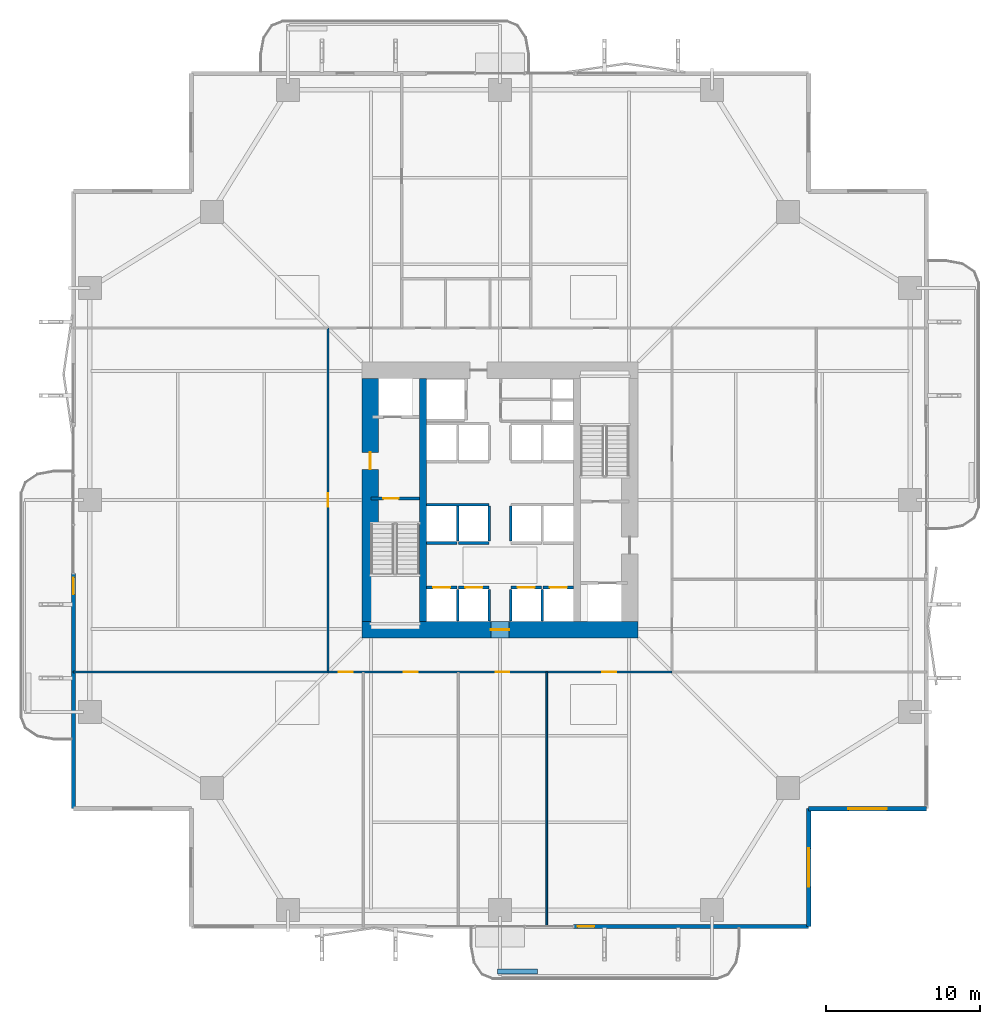
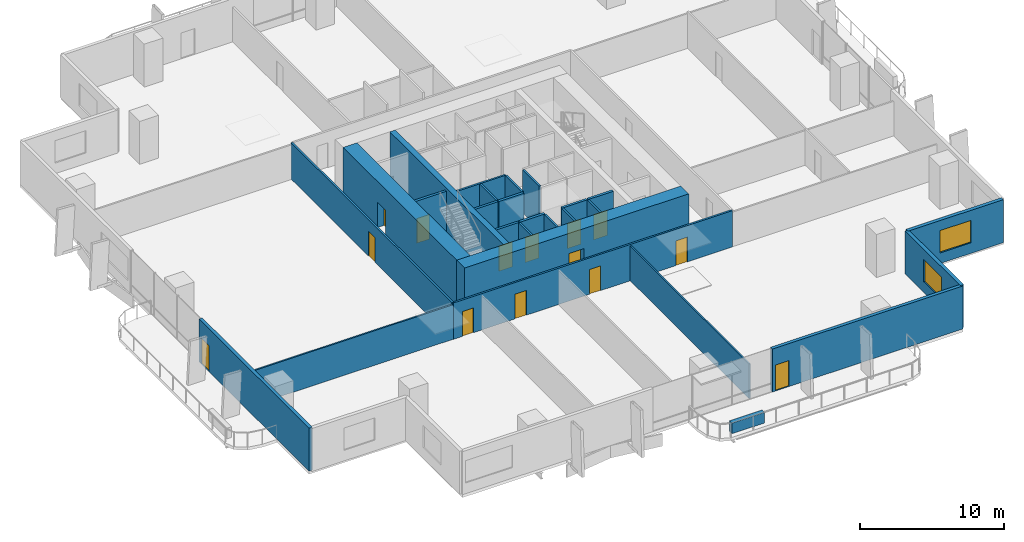
# One storey, part 17 of 24: 27 walls, 14 doors, 2 windows, 16 openings.
"""IFC4 building model written with IfcOpenShell, lengths in metres."""

import ifcopenshell
import ifcopenshell.guid

model = None  # the IFC model being written
_history = None  # IfcOwnerHistory: only IFC2X3 demands one
_inside = {}  # id of a spatial element -> (the spatial element, [elements in it])
_under = {}  # id of a project, library or spatial element -> (it, [spatial elements below it])
_declared = {}  # id of a project -> (the project, [libraries it declares])
_typed = {}  # id of a type object -> (the type object, [elements of that type])
_made_of = {}  # id of a material, layer set ... -> (it, [elements and type objects made of it])


def new_model(schema):
    """Start an empty IFC model of exactly this schema.

    Asked for "IFC4X3", IfcOpenShell would pick the latest addendum, in which some entities
    have other attributes; the version numbers below select the first issue.
    IFC2X3 requires an IfcOwnerHistory on every rooted entity: one is made here for all.
    """
    global model, _history
    if schema == "IFC4X3":
        model = ifcopenshell.file(schema_version=(4, 3, 0, 0))
    else:
        model = ifcopenshell.file(schema=schema)
    _inside.clear()
    _under.clear()
    _declared.clear()
    _typed.clear()
    _made_of.clear()
    _history = None
    if model.schema == "IFC2X3":
        org = make("IfcOrganization", Name="unknown")
        user = make(
            "IfcPersonAndOrganization",
            ThePerson=make("IfcPerson", FamilyName="unknown"),
            TheOrganization=org,
        )
        app = make(
            "IfcApplication",
            ApplicationDeveloper=org,
            Version="unknown",
            ApplicationFullName="unknown",
            ApplicationIdentifier="unknown",
        )
        _history = make(
            "IfcOwnerHistory",
            OwningUser=user,
            OwningApplication=app,
            ChangeAction="ADDED",
            CreationDate=0,
        )
    return model


def make(cls, **values):
    """One entity of the class cls with the attributes given. An attribute that is None is left unset."""
    return model.create_entity(
        cls, **{name: value for name, value in values.items() if value is not None}
    )


def rooted(cls, **values):
    """An entity with a GlobalId (a new one), such as an element, a storey or a relation."""
    return make(cls, GlobalId=ifcopenshell.guid.new(), OwnerHistory=_history, **values)


def si_unit(unit_type, name, prefix=None):
    """IfcSIUnit, for example si_unit("LENGTHUNIT", "METRE", prefix="MILLI")."""
    return make("IfcSIUnit", UnitType=unit_type, Prefix=prefix, Name=name)


def assignment(units):
    """IfcUnitAssignment: the units of a project."""
    return None if units is None else make("IfcUnitAssignment", Units=units)


def point(xyz):
    """IfcCartesianPoint."""
    return None if xyz is None else make("IfcCartesianPoint", Coordinates=xyz)


def direction(xyz):
    """IfcDirection."""
    return None if xyz is None else make("IfcDirection", DirectionRatios=xyz)


def frame(location, z_axis=None, x_axis=None):
    """IfcAxis2Placement3D, a coordinate frame: its origin and axes. An axis left out is left unset."""
    return make(
        "IfcAxis2Placement3D",
        Location=point(location),
        Axis=direction(z_axis),
        RefDirection=direction(x_axis),
    )


def frame_2d(location, x_axis=None):
    """IfcAxis2Placement2D, a coordinate frame in the plane: its origin and x axis."""
    return make(
        "IfcAxis2Placement2D", Location=point(location), RefDirection=direction(x_axis)
    )


def origin():
    """The frame at (0, 0, 0) with its axes left unset."""
    return frame((0.0, 0.0, 0.0))


def place(relative_to, where):
    """IfcLocalPlacement: puts the frame where relative to a parent placement (None: the world)."""
    return make(
        "IfcLocalPlacement", PlacementRelTo=relative_to, RelativePlacement=where
    )


def context(
    kind, dimensions, precision=None, world=None, true_north=None, identifier=None
):
    """IfcGeometricRepresentationContext, for example the 3D "Model" context."""
    return make(
        "IfcGeometricRepresentationContext",
        ContextIdentifier=identifier,
        ContextType=kind,
        CoordinateSpaceDimension=dimensions,
        Precision=precision,
        WorldCoordinateSystem=world,
        TrueNorth=true_north,
    )


def subcontext(parent, identifier, kind, view, scale=None):
    """IfcGeometricRepresentationSubContext, for example "Body" below "Model"."""
    return make(
        "IfcGeometricRepresentationSubContext",
        ContextIdentifier=identifier,
        ContextType=kind,
        ParentContext=parent,
        TargetScale=scale,
        TargetView=view,
    )


def project(units=None, contexts=None):
    """IfcProject with its units and contexts."""
    return rooted(
        "IfcProject",
        Name="project",
        RepresentationContexts=contexts,
        UnitsInContext=assignment(units),
    )


def spatial(cls, under=None, at=None, **own):
    """A site, building, storey or space (cls), placed at a placement, below another one or the project."""
    s = rooted(cls, ObjectPlacement=at, **own)
    if under is not None:
        _under.setdefault(under.id(), (under, []))[1].append(s)
    return s


def profile(cls, at=None, kind="AREA", **sizes):
    """A parametric profile (cls). Its sizes go by their IFC names, for example OverallWidth=200.0."""
    return make(cls, ProfileType=kind, Position=at, **sizes)


def rectangle(**sizes):
    """IfcRectangleProfileDef."""
    return profile("IfcRectangleProfileDef", **sizes)


def extrude(swept, where, along, depth):
    """IfcExtrudedAreaSolid: the profile swept, set in the frame where, extruded along a direction by depth."""
    return make(
        "IfcExtrudedAreaSolid",
        SweptArea=swept,
        Position=where,
        ExtrudedDirection=direction(along),
        Depth=depth,
    )


def shape(context_of_items, identifier, shape_type, items):
    """IfcShapeRepresentation: the items that make up one representation, for example the "Body"."""
    return make(
        "IfcShapeRepresentation",
        ContextOfItems=context_of_items,
        RepresentationIdentifier=identifier,
        RepresentationType=shape_type,
        Items=items,
    )


def material(Name=None, Category=None):
    """IfcMaterial."""
    return make("IfcMaterial", Name=Name, Category=Category)


def layer(
    of_material, thickness, ventilated=None, Name=None, Category=None, Priority=None
):
    """IfcMaterialLayer: one layer of a wall or slab, of a material (None: an air gap)."""
    return make(
        "IfcMaterialLayer",
        Material=of_material,
        LayerThickness=thickness,
        IsVentilated=ventilated,
        Name=Name,
        Category=Category,
        Priority=Priority,
    )


def layer_set(layers, Name=None):
    """IfcMaterialLayerSet."""
    return make("IfcMaterialLayerSet", MaterialLayers=layers, LayerSetName=Name)


def made_of(thing, what):
    """Note that an element or type object is made of a material, layer set ...; save() writes the relation."""
    if what is not None:
        _made_of.setdefault(what.id(), (what, []))[1].append(thing)
    return thing


def type_object(cls, material=None, **own):
    """A type object (cls), such as IfcWallType, which elements share."""
    return made_of(rooted(cls, **own), material)


def element(
    cls,
    number,
    at=None,
    inside=None,
    cuts=None,
    type_object=None,
    material=None,
    context=None,
    identifier="Body",
    shape_type=None,
    held_by="IfcProductDefinitionShape",
    body=None,
    shapes=None,
    **own,
):
    """One element of the class cls, such as IfcWall. Its Tag is "e" and its number.

    at: its placement. inside: the storey or other place that contains it. cuts: it is an
    opening in that element (IfcRelVoidsElement). A single representation is given by context,
    identifier, shape_type and body (its items); several are given by shapes. held_by: the class
    of the entity that holds the representations. save() writes the other relations.
    """
    e = rooted(cls, Tag="e%d" % number, ObjectPlacement=at, **own)
    if body is not None:
        shapes = [shape(context, identifier, shape_type, body)]
    if shapes is not None:
        e.Representation = make(held_by, Representations=shapes)
    if inside is not None:
        _inside.setdefault(inside.id(), (inside, []))[1].append(e)
    if cuts is not None:
        rooted(
            "IfcRelVoidsElement", RelatingBuildingElement=cuts, RelatedOpeningElement=e
        )
    if type_object is not None:
        _typed.setdefault(type_object.id(), (type_object, []))[1].append(e)
    return made_of(e, material)


def fill(opening, filler):
    """IfcRelFillsElement: the door or window that sits in an opening."""
    return rooted(
        "IfcRelFillsElement",
        RelatingOpeningElement=opening,
        RelatedBuildingElement=filler,
    )


def aggregate(whole, parts):
    """IfcRelAggregates: a whole, such as a stair, and the parts it consists of."""
    return rooted("IfcRelAggregates", RelatingObject=whole, RelatedObjects=parts)


def save(model, path):
    """Write the relations noted so far, then the file.

    IfcRelAggregates (storeys below a building ...), IfcRelContainedInSpatialStructure (elements
    in a storey), IfcRelDefinesByType, IfcRelAssociatesMaterial and IfcRelDeclares: one each for
    every whole, place, type object, material and project.
    """
    for whole, parts in _under.values():
        aggregate(whole, parts)
    for where, things in _inside.values():
        rooted(
            "IfcRelContainedInSpatialStructure",
            RelatedElements=things,
            RelatingStructure=where,
        )
    for kind, things in _typed.values():
        rooted("IfcRelDefinesByType", RelatedObjects=things, RelatingType=kind)
    for what, things in _made_of.values():
        rooted("IfcRelAssociatesMaterial", RelatedObjects=things, RelatingMaterial=what)
    for by, libraries in _declared.values():
        rooted("IfcRelDeclares", RelatingContext=by, RelatedDefinitions=libraries)
    model.write(path)


model = new_model("IFC4")

# Units and contexts
model_context = context("Model", 3, precision=1e-05, world=origin(), true_north=direction((0.0, 1.0)))
body_context = subcontext(model_context, "Body", "Model", "MODEL_VIEW")
ifc_project = project(units=[si_unit("LENGTHUNIT", "METRE"), si_unit("AREAUNIT", "SQUARE_METRE"), si_unit("VOLUMEUNIT", "CUBIC_METRE"), si_unit("PLANEANGLEUNIT", "RADIAN"), si_unit("MASSUNIT", "GRAM", prefix="KILO")], contexts=[model_context])

# Site, building, storey
site_placement = place(None, origin())
site = spatial("IfcSite", under=ifc_project, at=site_placement, CompositionType="ELEMENT")
building_placement = place(site_placement, origin())
building = spatial("IfcBuilding", under=site, at=building_placement, Name="Belovzor Exchange Tower", CompositionType="ELEMENT")
storey_placement = place(building_placement, frame((0.0, 0.0, 69.0)))
storey = spatial("IfcBuildingStorey", under=building, at=storey_placement, Name="L16", CompositionType="ELEMENT", Elevation=69.0)

# Walls
ifc_material_1 = material(Name="Acoustic Plasterboard on Galvanised Studs", Category="gypsum")
ifc_layer_1 = layer(ifc_material_1, 0.1201171875)
ifc_layer_set_1 = layer_set([ifc_layer_1], Name="Acoustic Plasterboard on Galvanised Studs")
wall_type_1 = type_object("IfcWallType", Name="Acoustic Double-Stud Partition Wall 120", PredefinedType="PARTITIONING", material=ifc_layer_set_1)
for number, where, z_axis, x_axis, name in (
    (1, (31.844970703125, 1.030029296875, 0.0), (0.0, 0.0, 1.0), (0.0, 1.0, 0.0), "W-P120 Partition Wall W-L16-SDIV-3"),
    (2, (1.030029296875, 17.60009765625, 0.0), (0.0, 0.0, 1.0), (1.0, 0.0, 0.0), "W-P120 Partition Wall W-L16-END-SW"),
):
    element("IfcWall", number, at=place(storey_placement, frame(where, z_axis=z_axis, x_axis=x_axis)), inside=storey, type_object=wall_type_1, Name=name, PredefinedType="PARTITIONING", context=body_context, shape_type="SweptSolid", body=[
        extrude(rectangle(XDim=16.570068359375, YDim=0.1201171875, at=frame_2d((8.28515625, 0.0))), origin(), (0.0, 0.0, 1.0), 2.93505859375),
    ])

# Wall, openings, doors
ifc_material_2 = material(Name="Fire-Rated Gypsum Block and Mineral Wool", Category="gypsum")
ifc_layer_2 = layer(ifc_material_2, 0.14990234375)
ifc_layer_set_2 = layer_set([ifc_layer_2], Name="Fire-Rated Gypsum Block and Mineral Wool")
wall_type_2 = type_object("IfcWallType", Name="Fire-Rated Gypsum Block Corridor Wall 150", PredefinedType="PARTITIONING", material=ifc_layer_set_2)
wall_1_placement = place(storey_placement, frame((17.60009765625, 17.60009765625, 0.0), z_axis=(0.0, 0.0, 1.0), x_axis=(1.0, 0.0, 0.0)))
wall_1 = element("IfcWall", 3, at=wall_1_placement, inside=storey, type_object=wall_type_2, Name="W-P150 Partition Wall W-L16-CS", PredefinedType="PARTITIONING", context=body_context, shape_type="SweptSolid", body=[
    extrude(rectangle(XDim=22.39990234375, YDim=0.14990234375, at=frame_2d((11.199951171875, 0.0))), origin(), (0.0, 0.0, 1.0), 3.0849609375),
])
opening_1_placement = place(wall_1_placement, frame((0.699951171875, 0.0, 0.0)))
opening_1 = element("IfcOpeningElement", 4, at=opening_1_placement, cuts=wall_1, Name="Opening D-INT-090", PredefinedType="OPENING", context=body_context, shape_type="SweptSolid", body=[
    extrude(rectangle(XDim=0.89990234375, YDim=2.10009765625, at=frame_2d((0.449951171875, 1.050048828125))), frame((0.0, 0.0849609375, 0.0), z_axis=(0.0, -1.0, 0.0), x_axis=(1.0, 0.0, 0.0)), (0.0, 0.0, 1.0), 0.169921875),
])
opening_2_placement = place(wall_1_placement, frame((4.93994140625, 0.0, 0.0)))
opening_2 = element("IfcOpeningElement", 5, at=opening_2_placement, cuts=wall_1, Name="Opening D-INT-090", PredefinedType="OPENING", context=body_context, shape_type="SweptSolid", body=[
    extrude(rectangle(XDim=0.89990234375, YDim=2.10009765625, at=frame_2d((0.449951171875, 1.050048828125))), frame((0.0, 0.0849609375, 0.0), z_axis=(0.0, -1.0, 0.0), x_axis=(1.0, 0.0, 0.0)), (0.0, 0.0, 1.0), 0.169921875),
])
opening_3_placement = place(wall_1_placement, frame((10.912109375, 0.0, 0.0)))
opening_3 = element("IfcOpeningElement", 6, at=opening_3_placement, cuts=wall_1, Name="Opening D-INT-090", PredefinedType="OPENING", context=body_context, shape_type="SweptSolid", body=[
    extrude(rectangle(XDim=0.89990234375, YDim=2.10009765625, at=frame_2d((0.449951171875, 1.050048828125))), frame((0.0, 0.0849609375, 0.0), z_axis=(0.0, -1.0, 0.0), x_axis=(1.0, 0.0, 0.0)), (0.0, 0.0, 1.0), 0.169921875),
])
opening_4_placement = place(wall_1_placement, frame((17.8720703125, 0.0, 0.0)))
opening_4 = element("IfcOpeningElement", 7, at=opening_4_placement, cuts=wall_1, Name="Opening D-INT-090", PredefinedType="OPENING", context=body_context, shape_type="SweptSolid", body=[
    extrude(rectangle(XDim=0.89990234375, YDim=2.10009765625, at=frame_2d((0.449951171875, 1.050048828125))), frame((0.0, 0.0849609375, 0.0), z_axis=(0.0, -1.0, 0.0), x_axis=(1.0, 0.0, 0.0)), (0.0, 0.0, 1.0), 0.169921875),
])
ifc_material_3 = material(Name="Veneered Hardwood Acoustic Leaf", Category="wood")
door_type_1 = type_object("IfcDoorType", Name="Trading Suite Acoustic Single Door 900x2100", OperationType="NOTDEFINED", PredefinedType="DOOR", material=ifc_material_3)
door_1_placement = place(opening_1_placement, origin())
door_1 = element("IfcDoor", 8, at=door_1_placement, inside=storey, type_object=door_type_1, Name="D-INT-090 Trading Suite Acoustic Single Door 900x2100", OperationType="SINGLE_SWING_RIGHT", OverallHeight=2.10009765625, OverallWidth=0.89990234375, PredefinedType="DOOR", context=body_context, shape_type="SweptSolid", body=[
    extrude(rectangle(XDim=0.89990234375, YDim=2.10009765625, at=frame_2d((0.449951171875, 1.050048828125))), frame((0.0, 0.02490234375, 0.0), z_axis=(0.0, -1.0, 0.0), x_axis=(1.0, 0.0, 0.0)), (0.0, 0.0, 1.0), 0.050048828125),
])
fill(opening_1, door_1)
door_2_placement = place(opening_2_placement, origin())
door_2 = element("IfcDoor", 9, at=door_2_placement, inside=storey, type_object=door_type_1, Name="D-INT-090 Trading Suite Acoustic Single Door 900x2100", OperationType="SINGLE_SWING_LEFT", OverallHeight=2.10009765625, OverallWidth=0.89990234375, PredefinedType="DOOR", context=body_context, shape_type="SweptSolid", body=[
    extrude(rectangle(XDim=0.89990234375, YDim=2.10009765625, at=frame_2d((0.449951171875, 1.050048828125))), frame((0.0, 0.02490234375, 0.0), z_axis=(0.0, -1.0, 0.0), x_axis=(1.0, 0.0, 0.0)), (0.0, 0.0, 1.0), 0.050048828125),
])
fill(opening_2, door_2)
door_3_placement = place(opening_3_placement, origin())
door_3 = element("IfcDoor", 10, at=door_3_placement, inside=storey, type_object=door_type_1, Name="D-INT-090 Trading Suite Acoustic Single Door 900x2100", OperationType="SINGLE_SWING_RIGHT", OverallHeight=2.10009765625, OverallWidth=0.89990234375, PredefinedType="DOOR", context=body_context, shape_type="SweptSolid", body=[
    extrude(rectangle(XDim=0.89990234375, YDim=2.10009765625, at=frame_2d((0.449951171875, 1.050048828125))), frame((0.0, 0.02490234375, 0.0), z_axis=(0.0, -1.0, 0.0), x_axis=(1.0, 0.0, 0.0)), (0.0, 0.0, 1.0), 0.050048828125),
])
fill(opening_3, door_3)
door_4_placement = place(opening_4_placement, origin())
door_4 = element("IfcDoor", 11, at=door_4_placement, inside=storey, type_object=door_type_1, Name="D-INT-090 Trading Suite Acoustic Single Door 900x2100", OperationType="SINGLE_SWING_LEFT", OverallHeight=2.10009765625, OverallWidth=0.89990234375, PredefinedType="DOOR", context=body_context, shape_type="SweptSolid", body=[
    extrude(rectangle(XDim=0.89990234375, YDim=2.10009765625, at=frame_2d((0.449951171875, 1.050048828125))), frame((0.0, 0.02490234375, 0.0), z_axis=(0.0, -1.0, 0.0), x_axis=(1.0, 0.0, 0.0)), (0.0, 0.0, 1.0), 0.050048828125),
])
fill(opening_4, door_4)

# Wall, opening, door
wall_2_placement = place(storey_placement, frame((17.60009765625, 17.60009765625, 0.0), z_axis=(0.0, 0.0, 1.0), x_axis=(0.0, 1.0, 0.0)))
wall_2 = element("IfcWall", 12, at=wall_2_placement, inside=storey, type_object=wall_type_2, Name="W-P150 Partition Wall W-L16-CW", PredefinedType="PARTITIONING", context=body_context, shape_type="SweptSolid", body=[
    extrude(rectangle(XDim=22.39990234375, YDim=0.14990234375, at=frame_2d((11.199951171875, 0.0))), origin(), (0.0, 0.0, 1.0), 3.0849609375),
])
opening_5_placement = place(wall_2_placement, frame((10.75, 0.0, 0.0)))
opening_5 = element("IfcOpeningElement", 13, at=opening_5_placement, cuts=wall_2, Name="Opening D-INT-090", PredefinedType="OPENING", context=body_context, shape_type="SweptSolid", body=[
    extrude(rectangle(XDim=0.89990234375, YDim=2.10009765625, at=frame_2d((0.449951171875, 1.050048828125))), frame((0.0, 0.0849609375, 0.0), z_axis=(0.0, -1.0, 0.0), x_axis=(1.0, 0.0, 0.0)), (0.0, 0.0, 1.0), 0.169921875),
])
door_5_placement = place(opening_5_placement, origin())
door_5 = element("IfcDoor", 14, at=door_5_placement, inside=storey, type_object=door_type_1, Name="D-INT-090 Trading Suite Acoustic Single Door 900x2100", OperationType="SINGLE_SWING_RIGHT", OverallHeight=2.10009765625, OverallWidth=0.89990234375, PredefinedType="DOOR", context=body_context, shape_type="SweptSolid", body=[
    extrude(rectangle(XDim=0.89990234375, YDim=2.10009765625, at=frame_2d((0.449951171875, 1.050048828125))), frame((0.0, 0.02490234375, 0.0), z_axis=(0.0, -1.0, 0.0), x_axis=(1.0, 0.0, 0.0)), (0.0, 0.0, 1.0), 0.050048828125),
])
fill(opening_5, door_5)

# Wall, opening, window
ifc_material_4 = material(Name="Precast concrete C40/50", Category="concrete")
ifc_layer_3 = layer(ifc_material_4, 0.280029296875)
ifc_layer_set_3 = layer_set([ifc_layer_3], Name="Precast concrete C40/50")
wall_type_3 = type_object("IfcWallType", Name="Precast Concrete Notched Corner Frame Wall 280", PredefinedType="SOLIDWALL", material=ifc_layer_set_3)
wall_3_placement = place(storey_placement, frame((56.570068359375, 8.699951171875, 0.0), z_axis=(0.0, 0.0, 1.0), x_axis=(-1.0, 0.0, 0.0)))
wall_3 = element("IfcWall", 15, at=wall_3_placement, inside=storey, type_object=wall_type_3, Name="W-CRN280 Precast Concrete Notched Corner Frame Wall 280 L16", PredefinedType="SOLIDWALL", context=body_context, shape_type="SweptSolid", body=[
    extrude(rectangle(XDim=7.670166015625, YDim=0.280029296875, at=frame_2d((3.8349609375, 0.0))), origin(), (0.0, 0.0, 1.0), 3.64990234375),
])
opening_6_placement = place(wall_3_placement, frame((2.5849609375, 0.0, 0.89990234375)))
opening_6 = element("IfcOpeningElement", 16, at=opening_6_placement, cuts=wall_3, Name="Opening WN-CRN250", PredefinedType="OPENING", context=body_context, shape_type="SweptSolid", body=[
    extrude(rectangle(XDim=2.5, YDim=1.89990234375, at=frame_2d((1.25, 0.949951171875))), frame((0.0, 0.14990234375, 0.0), z_axis=(0.0, -1.0, 0.0), x_axis=(1.0, 0.0, 0.0)), (0.0, 0.0, 1.0), 0.300048828125),
])
ifc_material_5 = material(Name="Thermally Broken Aluminium and Triple Glazing", Category="aluminium")
window_type = type_object("IfcWindowType", Name="Streamline Moderne Corner Wrap Ribbon Window 2500x1900", PartitioningType="SINGLE_PANEL", PredefinedType="WINDOW", material=ifc_material_5)
window_1_placement = place(opening_6_placement, origin())
window_1 = element("IfcWindow", 17, at=window_1_placement, inside=storey, type_object=window_type, Name="WN-CRN250 Streamline Moderne Corner Wrap Ribbon Window 2500x1900", OverallHeight=1.89990234375, OverallWidth=2.5, PartitioningType="SINGLE_PANEL", PredefinedType="WINDOW", context=body_context, shape_type="SweptSolid", body=[
    extrude(rectangle(XDim=2.5, YDim=1.89990234375, at=frame_2d((1.25, 0.949951171875))), frame((0.0, 0.030029296875, 0.0), z_axis=(0.0, -1.0, 0.0), x_axis=(1.0, 0.0, 0.0)), (0.0, 0.0, 1.0), 0.06005859375),
])
fill(opening_6, window_1)

wall_4_placement = place(storey_placement, frame((48.89990234375, 8.699951171875, 0.0), z_axis=(0.0, 0.0, 1.0), x_axis=(0.0, -1.0, 0.0)))
wall_4 = element("IfcWall", 18, at=wall_4_placement, inside=storey, type_object=wall_type_3, Name="W-CRN280 Precast Concrete Notched Corner Frame Wall 280 L16", PredefinedType="SOLIDWALL", context=body_context, shape_type="SweptSolid", body=[
    extrude(rectangle(XDim=7.669921875, YDim=0.280029296875, at=frame_2d((3.8349609375, 0.0))), origin(), (0.0, 0.0, 1.0), 3.64990234375),
])
opening_7_placement = place(wall_4_placement, frame((2.5849609375, 0.0, 0.89990234375)))
opening_7 = element("IfcOpeningElement", 19, at=opening_7_placement, cuts=wall_4, Name="Opening WN-CRN250", PredefinedType="OPENING", context=body_context, shape_type="SweptSolid", body=[
    extrude(rectangle(XDim=2.5, YDim=1.89990234375, at=frame_2d((1.25, 0.949951171875))), frame((0.0, 0.14990234375, 0.0), z_axis=(0.0, -1.0, 0.0), x_axis=(1.0, 0.0, 0.0)), (0.0, 0.0, 1.0), 0.300048828125),
])
window_2_placement = place(opening_7_placement, origin())
window_2 = element("IfcWindow", 20, at=window_2_placement, inside=storey, type_object=window_type, Name="WN-CRN250 Streamline Moderne Corner Wrap Ribbon Window 2500x1900", OverallHeight=1.89990234375, OverallWidth=2.5, PartitioningType="SINGLE_PANEL", PredefinedType="WINDOW", context=body_context, shape_type="SweptSolid", body=[
    extrude(rectangle(XDim=2.5, YDim=1.89990234375, at=frame_2d((1.25, 0.949951171875))), frame((0.0, 0.030029296875, 0.0), z_axis=(0.0, -1.0, 0.0), x_axis=(1.0, 0.0, 0.0)), (0.0, 0.0, 1.0), 0.06005859375),
])
fill(opening_7, window_2)

# Wall, opening, door
ifc_material_6 = material(Name="Precast concrete C40/50", Category="concrete")
ifc_layer_4 = layer(ifc_material_6, 0.260009765625)
ifc_layer_set_4 = layer_set([ifc_layer_4], Name="Precast concrete C40/50")
wall_type_4 = type_object("IfcWallType", Name="Precast Concrete Perimeter Loggia Frame Wall 260", PredefinedType="SOLIDWALL", material=ifc_layer_set_4)
wall_5_placement = place(storey_placement, frame((48.89990234375, 1.030029296875, 0.0), z_axis=(0.0, 0.0, 1.0), x_axis=(-1.0, 0.0, 0.0)))
wall_5 = element("IfcWall", 21, at=wall_5_placement, inside=storey, type_object=wall_type_4, Name="W-EXT260 Precast Concrete Perimeter Loggia Frame Wall 260 L16", PredefinedType="SOLIDWALL", context=body_context, shape_type="SweptSolid", body=[
    extrude(rectangle(XDim=15.2998046875, YDim=0.260009765625, at=frame_2d((7.64990234375, 0.0))), origin(), (0.0, 0.0, 1.0), 3.64990234375),
])
opening_8_placement = place(wall_5_placement, frame((13.949951171875, 0.0, 0.0)))
opening_8 = element("IfcOpeningElement", 22, at=opening_8_placement, cuts=wall_5, Name="Opening D-BAL110", PredefinedType="OPENING", context=body_context, shape_type="SweptSolid", body=[
    extrude(rectangle(XDim=1.10009765625, YDim=2.199951171875, at=frame_2d((0.550048828125, 1.10009765625))), frame((0.0, 0.139892578125, 0.0), z_axis=(0.0, -1.0, 0.0), x_axis=(1.0, 0.0, 0.0)), (0.0, 0.0, 1.0), 0.280029296875),
])
ifc_material_7 = material(Name="Thermally Broken Anodised Aluminium and Laminated Glass", Category="aluminium")
door_type_2 = type_object("IfcDoorType", Name="Planted Loggia Terrace Glazed Door 1100x2200", OperationType="SINGLE_SWING_LEFT", PredefinedType="DOOR", material=ifc_material_7)
door_6_placement = place(opening_8_placement, origin())
door_6 = element("IfcDoor", 23, at=door_6_placement, inside=storey, type_object=door_type_2, Name="D-BAL110 Balcony Terrace Door L16 S", OperationType="SINGLE_SWING_LEFT", OverallHeight=2.199951171875, OverallWidth=1.10009765625, PredefinedType="DOOR", context=body_context, shape_type="SweptSolid", body=[
    extrude(rectangle(XDim=1.10009765625, YDim=2.199951171875, at=frame_2d((0.550048828125, 1.10009765625))), frame((0.0, 0.02490234375, 0.0), z_axis=(0.0, -1.0, 0.0), x_axis=(1.0, 0.0, 0.0)), (0.0, 0.0, 1.0), 0.050048828125),
])
fill(opening_8, door_6)

wall_6_placement = place(storey_placement, frame((1.030029296875, 8.699951171875, 0.0), z_axis=(0.0, 0.0, 1.0), x_axis=(0.0, 1.0, 0.0)))
wall_6 = element("IfcWall", 24, at=wall_6_placement, inside=storey, type_object=wall_type_4, Name="W-EXT260 Precast Concrete Perimeter Loggia Frame Wall 260 L16", PredefinedType="SOLIDWALL", context=body_context, shape_type="SweptSolid", body=[
    extrude(rectangle(XDim=15.300048828125, YDim=0.260009765625, at=frame_2d((7.64990234375, 0.0))), origin(), (0.0, 0.0, 1.0), 3.64990234375),
])
opening_9_placement = place(wall_6_placement, frame((13.949951171875, 0.0, 0.0)))
opening_9 = element("IfcOpeningElement", 25, at=opening_9_placement, cuts=wall_6, Name="Opening D-BAL110", PredefinedType="OPENING", context=body_context, shape_type="SweptSolid", body=[
    extrude(rectangle(XDim=1.10009765625, YDim=2.199951171875, at=frame_2d((0.550048828125, 1.10009765625))), frame((0.0, 0.139892578125, 0.0), z_axis=(0.0, -1.0, 0.0), x_axis=(1.0, 0.0, 0.0)), (0.0, 0.0, 1.0), 0.280029296875),
])
door_7_placement = place(opening_9_placement, origin())
door_7 = element("IfcDoor", 26, at=door_7_placement, inside=storey, type_object=door_type_2, Name="D-BAL110 Balcony Terrace Door L16 W", OperationType="SINGLE_SWING_RIGHT", OverallHeight=2.199951171875, OverallWidth=1.10009765625, PredefinedType="DOOR", context=body_context, shape_type="SweptSolid", body=[
    extrude(rectangle(XDim=1.10009765625, YDim=2.199951171875, at=frame_2d((0.550048828125, 1.10009765625))), frame((0.0, 0.02490234375, 0.0), z_axis=(0.0, -1.0, 0.0), x_axis=(1.0, 0.0, 0.0)), (0.0, 0.0, 1.0), 0.050048828125),
])
fill(opening_9, door_7)

# Walls
ifc_material_8 = material(Name="Precast concrete C40/50", Category="concrete")
ifc_layer_5 = layer(ifc_material_8, 0.35009765625)
ifc_layer_set_5 = layer_set([ifc_layer_5], Name="Precast concrete C40/50")
wall_type_5 = type_object("IfcWallType", Name="Precast Concrete Structural Tree Planter Trough 350", PredefinedType="PARAPET", material=ifc_layer_set_5)
wall_7_placement = place(storey_placement, frame((28.64990234375, -1.89990234375, 0.0), z_axis=(0.0, 0.0, 1.0), x_axis=(1.0, 0.0, 0.0)))
element("IfcWall", 27, at=wall_7_placement, inside=storey, type_object=wall_type_5, Name="PT-350 Precast Concrete Structural Tree Planter Trough 350 L16", PredefinedType="PARAPET", context=body_context, shape_type="SweptSolid", body=[
    extrude(rectangle(XDim=2.60009765625, YDim=0.35009765625, at=frame_2d((1.300048828125, 0.0))), origin(), (0.0, 0.0, 1.0), 0.89990234375),
])
ifc_material_9 = material(Name="Concrete C50/60", Category="concrete")
ifc_layer_6 = layer(ifc_material_9, 0.449951171875)
ifc_layer_set_6 = layer_set([ifc_layer_6], Name="Concrete C50/60")
wall_type_6 = type_object("IfcWallType", Name="Reinforced Concrete Core Internal Web Wall 450", PredefinedType="SHEAR", material=ifc_layer_set_6)
wall_8_placement = place(storey_placement, frame((23.77490234375, 20.89990234375, 0.0), z_axis=(0.0, 0.0, 1.0), x_axis=(0.0, 1.0, 0.0)))
element("IfcWall", 28, at=wall_8_placement, inside=storey, type_object=wall_type_6, Name="CW-W045 Core Internal Web Wall L16 WL", PredefinedType="SHEAR", context=body_context, shape_type="SweptSolid", body=[
    extrude(rectangle(XDim=15.800048828125, YDim=0.449951171875, at=frame_2d((7.89990234375, 0.0))), origin(), (0.0, 0.0, 1.0), 3.89990234375),
])
ifc_material_10 = material(Name="Concrete C50/60", Category="concrete")
ifc_layer_7 = layer(ifc_material_10, 0.14990234375)
ifc_layer_set_7 = layer_set([ifc_layer_7], Name="Concrete C50/60")
wall_type_7 = type_object("IfcWallType", Name="Reinforced Concrete Core Riser Shear Wall 150", PredefinedType="SHEAR", material=ifc_layer_set_7)
for number, where, z_axis, x_axis, name in (
    (29, (26.050048828125, 20.919921875, 0.0), (0.0, 0.0, 1.0), (0.0, 1.0, 0.0), "W-C150S Core Shaft Wall W-SHD-L16-PLL-1"),
    (30, (28.10009765625, 20.919921875, 0.0), (0.0, 0.0, 1.0), (0.0, 1.0, 0.0), "W-C150S Core Shaft Wall W-SHD-L16-PLL-2"),
    (31, (29.5, 20.919921875, 0.0), (0.0, 0.0, 1.0), (0.0, 1.0, 0.0), "W-C150S Core Shaft Wall W-SHD-L16-PLL-3"),
    (32, (31.550048828125, 20.919921875, 0.0), (0.0, 0.0, 1.0), (0.0, 1.0, 0.0), "W-C150S Core Shaft Wall W-SHD-L16-PLL-4"),
):
    element("IfcWall", number, at=place(storey_placement, frame(where, z_axis=z_axis, x_axis=x_axis)), inside=storey, type_object=wall_type_7, Name=name, PredefinedType="SHEAR", context=body_context, shape_type="SweptSolid", body=[
        extrude(rectangle(XDim=2.06005859375, YDim=0.14990234375, at=frame_2d((1.030029296875, 0.0))), origin(), (0.0, 0.0, 1.0), 3.64990234375),
    ])
wall_9_placement = place(storey_placement, frame((24.02001953125, 28.5, 0.0), z_axis=(0.0, 0.0, 1.0), x_axis=(1.0, 0.0, 0.0)))
element("IfcWall", 33, at=wall_9_placement, inside=storey, type_object=wall_type_7, Name="W-C150S Core Shaft Wall W-SHB-L16-PLM-NW", PredefinedType="SHEAR", context=body_context, shape_type="SweptSolid", body=[
    extrude(rectangle(XDim=4.080078125, YDim=0.14990234375, at=frame_2d((2.0400390625, 0.0))), origin(), (0.0, 0.0, 1.0), 3.64990234375),
])
for number, where, z_axis, x_axis, name in (
    (34, (26.050048828125, 26.1201171875, 0.0), (0.0, 0.0, 1.0), (0.0, 1.0, 0.0), "W-C150S Core Shaft Wall W-SHD-L16-PLM-1"),
    (35, (28.10009765625, 26.1201171875, 0.0), (0.0, 0.0, 1.0), (0.0, 1.0, 0.0), "W-C150S Core Shaft Wall W-SHD-L16-PLM-2"),
    (36, (29.5, 26.1201171875, 0.0), (0.0, 0.0, 1.0), (0.0, 1.0, 0.0), "W-C150S Core Shaft Wall W-SHD-L16-PLM-3"),
):
    element("IfcWall", number, at=place(storey_placement, frame(where, z_axis=z_axis, x_axis=x_axis)), inside=storey, type_object=wall_type_7, Name=name, PredefinedType="SHEAR", context=body_context, shape_type="SweptSolid", body=[
        extrude(rectangle(XDim=2.27978515625, YDim=0.14990234375, at=frame_2d((1.139892578125, 0.0))), origin(), (0.0, 0.0, 1.0), 3.64990234375),
    ])

# Wall, opening, door
ifc_material_11 = material(Name="Concrete C50/60", Category="concrete")
ifc_layer_8 = layer(ifc_material_11, 0.199951171875)
ifc_layer_set_8 = layer_set([ifc_layer_8], Name="Concrete C50/60")
wall_type_8 = type_object("IfcWallType", Name="Reinforced Concrete Core Shaft Shear Wall 200", PredefinedType="SHEAR", material=ifc_layer_set_8)
wall_10_placement = place(storey_placement, frame((20.39990234375, 28.89990234375, 0.0), z_axis=(0.0, 0.0, 1.0), x_axis=(1.0, 0.0, 0.0)))
wall_10 = element("IfcWall", 37, at=wall_10_placement, inside=storey, type_object=wall_type_8, Name="W-C200S Core Shaft Wall W-CORE-L16-FFLW1", PredefinedType="SHEAR", context=body_context, shape_type="SweptSolid", body=[
    extrude(rectangle(XDim=3.150146484375, YDim=0.199951171875, at=frame_2d((1.5751953125, 0.0))), origin(), (0.0, 0.0, 1.0), 3.64990234375),
])
opening_10_placement = place(wall_10_placement, frame((0.800048828125, 0.0, 0.0)))
opening_10 = element("IfcOpeningElement", 38, at=opening_10_placement, cuts=wall_10, Name="Opening D-FD90-100", PredefinedType="OPENING", context=body_context, shape_type="SweptSolid", body=[
    extrude(rectangle(XDim=1.0, YDim=2.10009765625, at=frame_2d((0.5, 1.050048828125))), frame((0.0, 0.10986328125, 0.0), z_axis=(0.0, -1.0, 0.0), x_axis=(1.0, 0.0, 0.0)), (0.0, 0.0, 1.0), 0.219970703125),
])
ifc_material_12 = material(Name="Fire-Rated Galvanised Steel Leaf", Category="steel")
door_type_3 = type_object("IfcDoorType", Name="Protected Stairwell Single Fire Door 1000x2100", OperationType="NOTDEFINED", PredefinedType="DOOR", material=ifc_material_12)
door_8_placement = place(opening_10_placement, origin())
door_8 = element("IfcDoor", 39, at=door_8_placement, inside=storey, type_object=door_type_3, Name="D-FD90-100 Protected Stairwell Single Fire Door 1000x2100", OperationType="SINGLE_SWING_RIGHT", OverallHeight=2.10009765625, OverallWidth=1.0, PredefinedType="DOOR", context=body_context, shape_type="SweptSolid", body=[
    extrude(rectangle(XDim=1.0, YDim=2.10009765625, at=frame_2d((0.5, 1.050048828125))), frame((0.0, 0.02490234375, 0.0), z_axis=(0.0, -1.0, 0.0), x_axis=(1.0, 0.0, 0.0)), (0.0, 0.0, 1.0), 0.050048828125),
])
fill(opening_10, door_8)

wall_11_placement = place(storey_placement, frame((24.0, 23.10009765625, 0.0), z_axis=(0.0, 0.0, 1.0), x_axis=(1.0, 0.0, 0.0)))
wall_11 = element("IfcWall", 40, at=wall_11_placement, inside=storey, type_object=wall_type_8, Name="W-C200S Core Shaft Wall W-SH-L16-PL-L1", PredefinedType="SHEAR", context=body_context, shape_type="SweptSolid", body=[
    extrude(rectangle(XDim=2.0, YDim=0.199951171875, at=frame_2d((1.0, 0.0))), origin(), (0.0, 0.0, 1.0), 3.64990234375),
])
opening_11_placement = place(wall_11_placement, frame((0.449951171875, 0.0, 0.0)))
opening_11 = element("IfcOpeningElement", 41, at=opening_11_placement, cuts=wall_11, Name="Opening LD-110", PredefinedType="OPENING", context=body_context, shape_type="SweptSolid", body=[
    extrude(rectangle(XDim=1.10009765625, YDim=2.14990234375, at=frame_2d((0.550048828125, 1.074951171875))), frame((0.0, 0.10986328125, 0.0), z_axis=(0.0, -1.0, 0.0), x_axis=(1.0, 0.0, 0.0)), (0.0, 0.0, 1.0), 0.219970703125),
])
ifc_material_13 = material(Name="Stainless Steel Grade 304", Category="steel")
door_type_4 = type_object("IfcDoorType", Name="Automated Stainless Steel Lift Landing Door 1100x2150", OperationType="SLIDING_TO_RIGHT", PredefinedType="DOOR", material=ifc_material_13)
door_9_placement = place(opening_11_placement, origin())
door_9 = element("IfcDoor", 42, at=door_9_placement, inside=storey, type_object=door_type_4, Name="LD-110 Automated Stainless Steel Lift Landing Door 1100x2150", OperationType="SLIDING_TO_RIGHT", OverallHeight=2.14990234375, OverallWidth=1.10009765625, PredefinedType="DOOR", context=body_context, shape_type="SweptSolid", body=[
    extrude(rectangle(XDim=1.10009765625, YDim=2.14990234375, at=frame_2d((0.550048828125, 1.074951171875))), frame((0.0, 0.02490234375, 0.0), z_axis=(0.0, -1.0, 0.0), x_axis=(1.0, 0.0, 0.0)), (0.0, 0.0, 1.0), 0.050048828125),
])
fill(opening_11, door_9)

wall_12_placement = place(storey_placement, frame((26.10009765625, 23.10009765625, 0.0), z_axis=(0.0, 0.0, 1.0), x_axis=(1.0, 0.0, 0.0)))
wall_12 = element("IfcWall", 43, at=wall_12_placement, inside=storey, type_object=wall_type_8, Name="W-C200S Core Shaft Wall W-SH-L16-PL-L2", PredefinedType="SHEAR", context=body_context, shape_type="SweptSolid", body=[
    extrude(rectangle(XDim=2.0, YDim=0.199951171875, at=frame_2d((1.0, 0.0))), origin(), (0.0, 0.0, 1.0), 3.64990234375),
])
opening_12_placement = place(wall_12_placement, frame((0.449951171875, 0.0, 0.0)))
opening_12 = element("IfcOpeningElement", 44, at=opening_12_placement, cuts=wall_12, Name="Opening LD-110", PredefinedType="OPENING", context=body_context, shape_type="SweptSolid", body=[
    extrude(rectangle(XDim=1.10009765625, YDim=2.14990234375, at=frame_2d((0.550048828125, 1.074951171875))), frame((0.0, 0.10986328125, 0.0), z_axis=(0.0, -1.0, 0.0), x_axis=(1.0, 0.0, 0.0)), (0.0, 0.0, 1.0), 0.219970703125),
])
door_10_placement = place(opening_12_placement, origin())
door_10 = element("IfcDoor", 45, at=door_10_placement, inside=storey, type_object=door_type_4, Name="LD-110 Automated Stainless Steel Lift Landing Door 1100x2150", OperationType="SLIDING_TO_RIGHT", OverallHeight=2.14990234375, OverallWidth=1.10009765625, PredefinedType="DOOR", context=body_context, shape_type="SweptSolid", body=[
    extrude(rectangle(XDim=1.10009765625, YDim=2.14990234375, at=frame_2d((0.550048828125, 1.074951171875))), frame((0.0, 0.02490234375, 0.0), z_axis=(0.0, -1.0, 0.0), x_axis=(1.0, 0.0, 0.0)), (0.0, 0.0, 1.0), 0.050048828125),
])
fill(opening_12, door_10)

wall_13_placement = place(storey_placement, frame((29.5, 23.10009765625, 0.0), z_axis=(0.0, 0.0, 1.0), x_axis=(1.0, 0.0, 0.0)))
wall_13 = element("IfcWall", 46, at=wall_13_placement, inside=storey, type_object=wall_type_8, Name="W-C200S Core Shaft Wall W-SH-L16-PL-L3", PredefinedType="SHEAR", context=body_context, shape_type="SweptSolid", body=[
    extrude(rectangle(XDim=2.0, YDim=0.199951171875, at=frame_2d((1.0, 0.0))), origin(), (0.0, 0.0, 1.0), 3.64990234375),
])
opening_13_placement = place(wall_13_placement, frame((0.449951171875, 0.0, 0.0)))
opening_13 = element("IfcOpeningElement", 47, at=opening_13_placement, cuts=wall_13, Name="Opening LD-110", PredefinedType="OPENING", context=body_context, shape_type="SweptSolid", body=[
    extrude(rectangle(XDim=1.10009765625, YDim=2.14990234375, at=frame_2d((0.550048828125, 1.074951171875))), frame((0.0, 0.10986328125, 0.0), z_axis=(0.0, -1.0, 0.0), x_axis=(1.0, 0.0, 0.0)), (0.0, 0.0, 1.0), 0.219970703125),
])
door_11_placement = place(opening_13_placement, origin())
door_11 = element("IfcDoor", 48, at=door_11_placement, inside=storey, type_object=door_type_4, Name="LD-110 Automated Stainless Steel Lift Landing Door 1100x2150", OperationType="SLIDING_TO_RIGHT", OverallHeight=2.14990234375, OverallWidth=1.10009765625, PredefinedType="DOOR", context=body_context, shape_type="SweptSolid", body=[
    extrude(rectangle(XDim=1.10009765625, YDim=2.14990234375, at=frame_2d((0.550048828125, 1.074951171875))), frame((0.0, 0.02490234375, 0.0), z_axis=(0.0, -1.0, 0.0), x_axis=(1.0, 0.0, 0.0)), (0.0, 0.0, 1.0), 0.050048828125),
])
fill(opening_13, door_11)

wall_14_placement = place(storey_placement, frame((31.60009765625, 23.10009765625, 0.0), z_axis=(0.0, 0.0, 1.0), x_axis=(1.0, 0.0, 0.0)))
wall_14 = element("IfcWall", 49, at=wall_14_placement, inside=storey, type_object=wall_type_8, Name="W-C200S Core Shaft Wall W-SH-L16-PL-L4", PredefinedType="SHEAR", context=body_context, shape_type="SweptSolid", body=[
    extrude(rectangle(XDim=2.0, YDim=0.199951171875, at=frame_2d((1.0, 0.0))), origin(), (0.0, 0.0, 1.0), 3.64990234375),
])
opening_14_placement = place(wall_14_placement, frame((0.449951171875, 0.0, 0.0)))
opening_14 = element("IfcOpeningElement", 50, at=opening_14_placement, cuts=wall_14, Name="Opening LD-110", PredefinedType="OPENING", context=body_context, shape_type="SweptSolid", body=[
    extrude(rectangle(XDim=1.10009765625, YDim=2.14990234375, at=frame_2d((0.550048828125, 1.074951171875))), frame((0.0, 0.10986328125, 0.0), z_axis=(0.0, -1.0, 0.0), x_axis=(1.0, 0.0, 0.0)), (0.0, 0.0, 1.0), 0.219970703125),
])
door_12_placement = place(opening_14_placement, origin())
door_12 = element("IfcDoor", 51, at=door_12_placement, inside=storey, type_object=door_type_4, Name="LD-110 Automated Stainless Steel Lift Landing Door 1100x2150", OperationType="SLIDING_TO_RIGHT", OverallHeight=2.14990234375, OverallWidth=1.10009765625, PredefinedType="DOOR", context=body_context, shape_type="SweptSolid", body=[
    extrude(rectangle(XDim=1.10009765625, YDim=2.14990234375, at=frame_2d((0.550048828125, 1.074951171875))), frame((0.0, 0.02490234375, 0.0), z_axis=(0.0, -1.0, 0.0), x_axis=(1.0, 0.0, 0.0)), (0.0, 0.0, 1.0), 0.050048828125),
])
fill(opening_14, door_12)

# Walls
for number, where, z_axis, x_axis, name in (
    (52, (24.0, 26.0, 0.0), (0.0, 0.0, 1.0), (1.0, 0.0, 0.0), "W-C200S Core Shaft Wall W-SH-L16-PL-M1"),
    (53, (26.10009765625, 26.0, 0.0), (0.0, 0.0, 1.0), (1.0, 0.0, 0.0), "W-C200S Core Shaft Wall W-SH-L16-PL-M2"),
):
    element("IfcWall", number, at=place(storey_placement, frame(where, z_axis=z_axis, x_axis=x_axis)), inside=storey, type_object=wall_type_8, Name=name, PredefinedType="SHEAR", context=body_context, shape_type="SweptSolid", body=[
        extrude(rectangle(XDim=2.0, YDim=0.199951171875, at=frame_2d((1.0, 0.0))), origin(), (0.0, 0.0, 1.0), 3.64990234375),
    ])

# Wall, opening, door
ifc_material_14 = material(Name="Concrete C60/75", Category="concrete")
ifc_layer_9 = layer(ifc_material_14, 1.10009765625)
ifc_layer_set_9 = layer_set([ifc_layer_9], Name="Concrete C60/75")
wall_type_9 = type_object("IfcWallType", Name="Reinforced Concrete Core Shear Wall 1100", PredefinedType="SHEAR", material=ifc_layer_set_9)
wall_15_placement = place(storey_placement, frame((19.800048828125, 20.35009765625, 0.0), z_axis=(0.0, 0.0, 1.0), x_axis=(1.0, 0.0, 0.0)))
wall_15 = element("IfcWall", 54, at=wall_15_placement, inside=storey, type_object=wall_type_9, Name="CW-S110 Core Shear Wall L16 S", PredefinedType="SHEAR", context=body_context, shape_type="SweptSolid", body=[
    extrude(rectangle(XDim=18.0, YDim=1.10009765625, at=frame_2d((9.0, 0.0))), origin(), (0.0, 0.0, 1.0), 3.89990234375),
])
opening_15_placement = place(wall_15_placement, frame((8.39990234375, 0.0, 0.0)))
opening_15 = element("IfcOpeningElement", 55, at=opening_15_placement, cuts=wall_15, Name="Opening D-FD90-120", PredefinedType="OPENING", context=body_context, shape_type="SweptSolid", body=[
    extrude(rectangle(XDim=1.199951171875, YDim=2.199951171875, at=frame_2d((0.60009765625, 1.10009765625))), frame((0.0, 0.56005859375, 0.0), z_axis=(0.0, -1.0, 0.0), x_axis=(1.0, 0.0, 0.0)), (0.0, 0.0, 1.0), 1.1201171875),
])
ifc_material_15 = material(Name="Fire-Rated Galvanised Steel Leaf", Category="steel")
door_type_5 = type_object("IfcDoorType", Name="Heavy Plant & Foyer Fire Door 1200x2200", OperationType="NOTDEFINED", PredefinedType="DOOR", material=ifc_material_15)
door_13_placement = place(opening_15_placement, origin())
door_13 = element("IfcDoor", 56, at=door_13_placement, inside=storey, type_object=door_type_5, Name="D-FD90-120 Heavy Plant & Foyer Fire Door 1200x2200", OperationType="SINGLE_SWING_LEFT", OverallHeight=2.199951171875, OverallWidth=1.199951171875, PredefinedType="DOOR", context=body_context, shape_type="SweptSolid", body=[
    extrude(rectangle(XDim=1.199951171875, YDim=2.199951171875, at=frame_2d((0.60009765625, 1.10009765625))), frame((0.0, 0.02490234375, 0.0), z_axis=(0.0, -1.0, 0.0), x_axis=(1.0, 0.0, 0.0)), (0.0, 0.0, 1.0), 0.050048828125),
])
fill(opening_15, door_13)

wall_16_placement = place(storey_placement, frame((20.35009765625, 20.89990234375, 0.0), z_axis=(0.0, 0.0, 1.0), x_axis=(0.0, 1.0, 0.0)))
wall_16 = element("IfcWall", 57, at=wall_16_placement, inside=storey, type_object=wall_type_9, Name="CW-S110 Core Shear Wall L16 W", PredefinedType="SHEAR", context=body_context, shape_type="SweptSolid", body=[
    extrude(rectangle(XDim=15.800048828125, YDim=1.10009765625, at=frame_2d((7.89990234375, 0.0))), origin(), (0.0, 0.0, 1.0), 3.89990234375),
])
opening_16_placement = place(wall_16_placement, frame((9.89990234375, 0.0, 0.0)))
opening_16 = element("IfcOpeningElement", 58, at=opening_16_placement, cuts=wall_16, Name="Opening D-FD90-110", PredefinedType="OPENING", context=body_context, shape_type="SweptSolid", body=[
    extrude(rectangle(XDim=1.10009765625, YDim=2.14990234375, at=frame_2d((0.550048828125, 1.074951171875))), frame((0.0, 0.56005859375, 0.0), z_axis=(0.0, -1.0, 0.0), x_axis=(1.0, 0.0, 0.0)), (0.0, 0.0, 1.0), 1.1201171875),
])
ifc_material_16 = material(Name="Fire-Rated Galvanised Steel Leaf", Category="steel")
door_type_6 = type_object("IfcDoorType", Name="Protected Escape Vestibule Fire Door 1100x2150", OperationType="NOTDEFINED", PredefinedType="DOOR", material=ifc_material_16)
door_14_placement = place(opening_16_placement, origin())
door_14 = element("IfcDoor", 59, at=door_14_placement, inside=storey, type_object=door_type_6, Name="D-FD90-110 Protected Escape Vestibule Fire Door 1100x2150", OperationType="SINGLE_SWING_LEFT", OverallHeight=2.14990234375, OverallWidth=1.10009765625, PredefinedType="DOOR", context=body_context, shape_type="SweptSolid", body=[
    extrude(rectangle(XDim=1.10009765625, YDim=2.14990234375, at=frame_2d((0.550048828125, 1.074951171875))), frame((0.0, 0.02490234375, 0.0), z_axis=(0.0, -1.0, 0.0), x_axis=(1.0, 0.0, 0.0)), (0.0, 0.0, 1.0), 0.050048828125),
])
fill(opening_16, door_14)

save(model, "model.ifc")
